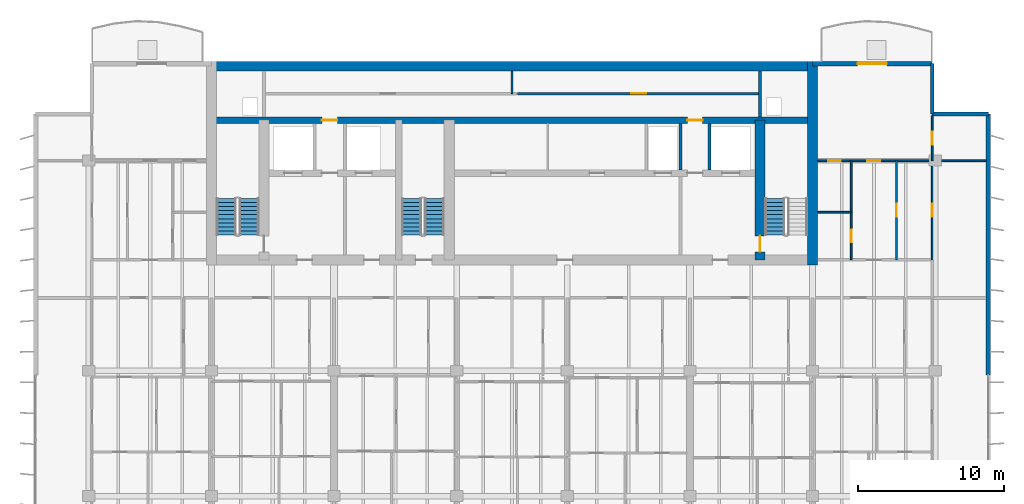
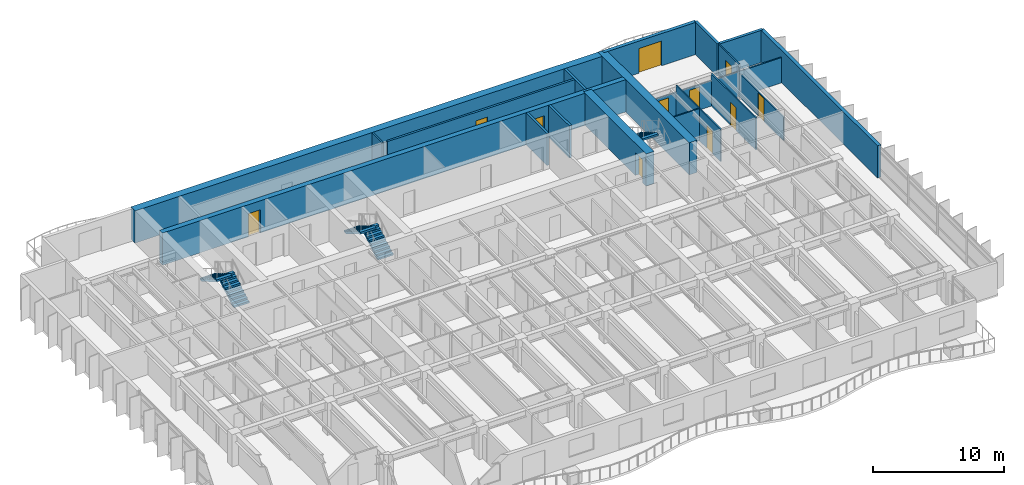
# One storey, part 14 of 19: 19 walls, 11 doors, 5 stair flights, 11 openings, 3 elements without a shape of their own.
"""IFC4 building model written with IfcOpenShell, lengths in metres."""

from ifc_helpers import new_model, si_unit, direction, frame, frame_2d, origin, place, context, subcontext, project, spatial, polyline, rectangle, outline, extrude, material, layer, layer_set, type_object, element, fill, aggregate, save


model = new_model("IFC4")

# Units and contexts
model_context = context("Model", 3, precision=1e-05, world=origin(), true_north=direction((0.0, 1.0)))
body_context = subcontext(model_context, "Body", "Model", "MODEL_VIEW")
ifc_project = project(units=[si_unit("LENGTHUNIT", "METRE"), si_unit("AREAUNIT", "SQUARE_METRE"), si_unit("VOLUMEUNIT", "CUBIC_METRE"), si_unit("PLANEANGLEUNIT", "RADIAN"), si_unit("MASSUNIT", "GRAM", prefix="KILO")], contexts=[model_context])

# Site, building, storey
site_placement = place(None, origin())
site = spatial("IfcSite", under=ifc_project, at=site_placement, CompositionType="ELEMENT")
building_placement = place(site_placement, origin())
building = spatial("IfcBuilding", under=site, at=building_placement, Name="Caelmar Bay Residences", CompositionType="ELEMENT")
storey_placement = place(building_placement, frame((0.0, 0.0, 218.10009765625)))
storey = spatial("IfcBuildingStorey", under=building, at=storey_placement, Name="L61", CompositionType="ELEMENT", Elevation=218.10009765625)

# Wall
ifc_material_1 = material(Name="Concrete f'c 55 MPa (8,000 psi)", Category="concrete")
ifc_layer_1 = layer(ifc_material_1, 0.699951171875)
ifc_layer_set_1 = layer_set([ifc_layer_1], Name="Concrete f'c 55 MPa (8,000 psi)")
wall_type_1 = type_object("IfcWallType", Name="SW-COR-700", PredefinedType="SHEAR", material=ifc_layer_set_1)
wall_1_placement = place(storey_placement, frame((59.5, 36.64990234375, 0.0), z_axis=(0.0, 0.0, 1.0), x_axis=(0.0, 1.0, 0.0)))
element("IfcWall", 1, at=wall_1_placement, inside=storey, type_object=wall_type_1, Name="L61 Rear Core East Shear Wall", PredefinedType="SHEAR", context=body_context, shape_type="SweptSolid", body=[
    extrude(rectangle(XDim=13.9501953125, YDim=0.699951171875, at=frame_2d((6.97509765625, 0.0))), origin(), (0.0, 0.0, 1.0), 3.0),
])

# Wall, opening, door
wall_2_placement = place(storey_placement, frame((55.89990234375, 37.0, 0.0), z_axis=(0.0, 0.0, 1.0), x_axis=(0.0, 1.0, 0.0)))
wall_2 = element("IfcWall", 2, at=wall_2_placement, inside=storey, type_object=wall_type_1, Name="L61 Core Structural Web Wall ST2W", PredefinedType="SHEAR", context=body_context, shape_type="SweptSolid", body=[
    extrude(rectangle(XDim=9.574951171875, YDim=0.699951171875, at=frame_2d((4.78759765625, 0.0))), origin(), (0.0, 0.0, 1.0), 3.0),
])
opening_1_placement = place(wall_2_placement, frame((0.550048828125, 0.0, 0.0)))
opening_1 = element("IfcOpeningElement", 3, at=opening_1_placement, cuts=wall_2, Name="Opening D-L61-110", PredefinedType="OPENING", context=body_context, shape_type="SweptSolid", body=[
    extrude(rectangle(XDim=1.10009765625, YDim=2.14990234375, at=frame_2d((0.550048828125, 1.074951171875))), frame((0.0, 0.35986328125, 0.0), z_axis=(0.0, -1.0, 0.0), x_axis=(1.0, 0.0, 0.0)), (0.0, 0.0, 1.0), 0.719970703125),
])
ifc_material_2 = material(Name="Fire-rated steel and walnut architectural door assembly", Category="steel")
ifc_layer_2 = layer(ifc_material_2, 0.050048828125)
ifc_layer_set_2 = layer_set([ifc_layer_2], Name="Fire-rated steel and walnut architectural door assembly")
door_type_1 = type_object("IfcDoorType", Name="D-STAIR-1100", OperationType="NOTDEFINED", PredefinedType="DOOR", material=ifc_layer_set_2)
door_1_placement = place(opening_1_placement, origin())
door_1 = element("IfcDoor", 4, at=door_1_placement, inside=storey, type_object=door_type_1, Name="L61 Firefighting Lobby East Door", OperationType="SINGLE_SWING_RIGHT", OverallHeight=2.14990234375, OverallWidth=1.10009765625, PredefinedType="DOOR", context=body_context, shape_type="SweptSolid", body=[
    extrude(rectangle(XDim=1.10009765625, YDim=2.14990234375, at=frame_2d((0.550048828125, 1.074951171875))), frame((0.0, 0.02490234375, 0.0), z_axis=(0.0, -1.0, 0.0), x_axis=(1.0, 0.0, 0.0)), (0.0, 0.0, 1.0), 0.050048828125),
])
fill(opening_1, door_1)

# Wall
ifc_layer_3 = layer(ifc_material_1, 0.64990234375)
ifc_layer_set_3 = layer_set([ifc_layer_3], Name="Concrete f'c 55 MPa (8,000 psi)")
wall_type_2 = type_object("IfcWallType", Name="SW-CORN-650", PredefinedType="SHEAR", material=ifc_layer_set_3)
wall_3_placement = place(storey_placement, frame((17.949951171875, 50.27490234375, 0.0), z_axis=(0.0, 0.0, 1.0), x_axis=(1.0, 0.0, 0.0)))
element("IfcWall", 5, at=wall_3_placement, inside=storey, type_object=wall_type_2, Name="L61 Rear Core North Shear Wall", PredefinedType="SHEAR", context=body_context, shape_type="SweptSolid", body=[
    extrude(rectangle(XDim=41.900146484375, YDim=0.64990234375, at=frame_2d((20.9501953125, 0.0))), origin(), (0.0, 0.0, 1.0), 3.0),
])

# Wall, openings, doors
ifc_material_3 = material(Name="Concrete f'c 70 MPa (10,000 psi)", Category="concrete")
ifc_layer_4 = layer(ifc_material_3, 0.449951171875)
ifc_layer_set_4 = layer_set([ifc_layer_4], Name="Concrete f'c 70 MPa (10,000 psi)")
wall_type_3 = type_object("IfcWallType", Name="SW-WEB-450", PredefinedType="SHEAR", material=ifc_layer_set_4)
wall_4_placement = place(storey_placement, frame((18.300048828125, 46.574951171875, 0.0), z_axis=(0.0, 0.0, 1.0), x_axis=(1.0, 0.0, 0.0)))
wall_4 = element("IfcWall", 6, at=wall_4_placement, inside=storey, type_object=wall_type_3, Name="L61 Core Structural Web Wall SRVS", PredefinedType="SHEAR", context=body_context, shape_type="SweptSolid", body=[
    extrude(rectangle(XDim=41.199951171875, YDim=0.449951171875, at=frame_2d((20.60009765625, 0.0))), origin(), (0.0, 0.0, 1.0), 3.0),
])
opening_2_placement = place(wall_4_placement, frame((7.574951171875, 0.0, 0.0)))
opening_2 = element("IfcOpeningElement", 7, at=opening_2_placement, cuts=wall_4, Name="Opening D-L61-116", PredefinedType="OPENING", context=body_context, shape_type="SweptSolid", body=[
    extrude(rectangle(XDim=1.050048828125, YDim=2.14990234375, at=frame_2d((0.52490234375, 1.074951171875))), frame((0.0, 0.23486328125, 0.0), z_axis=(0.0, -1.0, 0.0), x_axis=(1.0, 0.0, 0.0)), (0.0, 0.0, 1.0), 0.469970703125),
])
opening_3_placement = place(wall_4_placement, frame((32.625, 0.0, 0.0)))
opening_3 = element("IfcOpeningElement", 8, at=opening_3_placement, cuts=wall_4, Name="Opening D-L61-117", PredefinedType="OPENING", context=body_context, shape_type="SweptSolid", body=[
    extrude(rectangle(XDim=1.050048828125, YDim=2.14990234375, at=frame_2d((0.52490234375, 1.074951171875))), frame((0.0, 0.23486328125, 0.0), z_axis=(0.0, -1.0, 0.0), x_axis=(1.0, 0.0, 0.0)), (0.0, 0.0, 1.0), 0.469970703125),
])
ifc_layer_5 = layer(ifc_material_2, 0.050048828125)
ifc_layer_set_5 = layer_set([ifc_layer_5], Name="Fire-rated steel and walnut architectural door assembly")
door_type_2 = type_object("IfcDoorType", Name="D-FSAE-1050", OperationType="NOTDEFINED", PredefinedType="DOOR", material=ifc_layer_set_5)
door_2_placement = place(opening_2_placement, origin())
door_2 = element("IfcDoor", 9, at=door_2_placement, inside=storey, type_object=door_type_2, Name="L61 Core Service Corridor Door", OperationType="SINGLE_SWING_RIGHT", OverallHeight=2.14990234375, OverallWidth=1.050048828125, PredefinedType="DOOR", context=body_context, shape_type="SweptSolid", body=[
    extrude(rectangle(XDim=1.050048828125, YDim=2.14990234375, at=frame_2d((0.52490234375, 1.074951171875))), frame((0.0, 0.02490234375, 0.0), z_axis=(0.0, -1.0, 0.0), x_axis=(1.0, 0.0, 0.0)), (0.0, 0.0, 1.0), 0.050048828125),
])
fill(opening_2, door_2)
door_3_placement = place(opening_3_placement, origin())
door_3 = element("IfcDoor", 10, at=door_3_placement, inside=storey, type_object=door_type_2, Name="L61 Core Service Corridor Door", OperationType="SINGLE_SWING_LEFT", OverallHeight=2.14990234375, OverallWidth=1.050048828125, PredefinedType="DOOR", context=body_context, shape_type="SweptSolid", body=[
    extrude(rectangle(XDim=1.050048828125, YDim=2.14990234375, at=frame_2d((0.52490234375, 1.074951171875))), frame((0.0, 0.02490234375, 0.0), z_axis=(0.0, -1.0, 0.0), x_axis=(1.0, 0.0, 0.0)), (0.0, 0.0, 1.0), 0.050048828125),
])
fill(opening_3, door_3)

# Wall, opening, door
ifc_material_4 = material(Name="Double-stud acoustic fire-rated gypsum partition 180 mm")
ifc_layer_6 = layer(ifc_material_4, 0.179931640625)
ifc_layer_set_6 = layer_set([ifc_layer_6], Name="Double-stud acoustic fire-rated gypsum partition 180 mm")
wall_type_4 = type_object("IfcWallType", Name="W-COR-200", PredefinedType="PARTITIONING", material=ifc_layer_set_6)
wall_5_placement = place(storey_placement, frame((39.280029296875, 48.39990234375, 0.0), z_axis=(0.0, 0.0, 1.0), x_axis=(1.0, 0.0, 0.0)))
wall_5 = element("IfcWall", 11, at=wall_5_placement, inside=storey, type_object=wall_type_4, Name="L61 Partition Wall H137", PredefinedType="PARTITIONING", context=body_context, shape_type="SweptSolid", body=[
    extrude(rectangle(XDim=16.619873046875, YDim=0.179931640625, at=frame_2d((8.31005859375, 0.0))), origin(), (0.0, 0.0, 1.0), 3.0),
])
opening_4_placement = place(wall_5_placement, frame((7.81005859375, 0.0, 0.0)))
opening_4 = element("IfcOpeningElement", 12, at=opening_4_placement, cuts=wall_5, Name="Opening D-L61-119", PredefinedType="OPENING", context=body_context, shape_type="SweptSolid", body=[
    extrude(rectangle(XDim=1.0, YDim=2.199951171875, at=frame_2d((0.5, 1.10009765625))), frame((0.0, 0.099853515625, 0.0), z_axis=(0.0, -1.0, 0.0), x_axis=(1.0, 0.0, 0.0)), (0.0, 0.0, 1.0), 0.199951171875),
])
ifc_layer_7 = layer(ifc_material_2, 0.050048828125)
ifc_layer_set_7 = layer_set([ifc_layer_7], Name="Fire-rated steel and walnut architectural door assembly")
door_type_3 = type_object("IfcDoorType", Name="D-UNIT-1000", OperationType="NOTDEFINED", PredefinedType="DOOR", material=ifc_layer_set_7)
door_4_placement = place(opening_4_placement, origin())
door_4 = element("IfcDoor", 13, at=door_4_placement, inside=storey, type_object=door_type_3, Name="L61 Concierge Operations Office Door", OperationType="SINGLE_SWING_LEFT", OverallHeight=2.199951171875, OverallWidth=1.0, PredefinedType="DOOR", context=body_context, shape_type="SweptSolid", body=[
    extrude(rectangle(XDim=1.0, YDim=2.199951171875, at=frame_2d((0.5, 1.10009765625))), frame((0.0, 0.02490234375, 0.0), z_axis=(0.0, -1.0, 0.0), x_axis=(1.0, 0.0, 0.0)), (0.0, 0.0, 1.0), 0.050048828125),
])
fill(opening_4, door_4)

# Walls
ifc_material_5 = material(Name="Precast concrete f'c 40 MPa (6,000 psi)", Category="concrete")
ifc_layer_8 = layer(ifc_material_5, 0.25)
ifc_layer_set_8 = layer_set([ifc_layer_8], Name="Precast concrete f'c 40 MPa (6,000 psi)")
wall_type_5 = type_object("IfcWallType", Name="W-EXT-250", PredefinedType="ELEMENTEDWALL", material=ifc_layer_set_8)
wall_6_placement = place(storey_placement, frame((67.699951171875, 50.449951171875, 0.0), z_axis=(0.0, 0.0, 1.0), x_axis=(0.0, -1.0, 0.0)))
element("IfcWall", 14, at=wall_6_placement, inside=storey, type_object=wall_type_5, Name="L61 NNE-V Notch Wall", PredefinedType="ELEMENTEDWALL", context=body_context, shape_type="SweptSolid", body=[
    extrude(rectangle(XDim=3.449951171875, YDim=0.25, at=frame_2d((1.72509765625, 0.0))), origin(), (0.0, 0.0, 1.0), 3.0),
])
wall_7_placement = place(storey_placement, frame((67.699951171875, 47.0, 0.0), z_axis=(0.0, 0.0, 1.0), x_axis=(1.0, 0.0, 0.0)))
element("IfcWall", 15, at=wall_7_placement, inside=storey, type_object=wall_type_5, Name="L61 NNE-H Notch Wall", PredefinedType="ELEMENTEDWALL", context=body_context, shape_type="SweptSolid", body=[
    extrude(rectangle(XDim=3.85009765625, YDim=0.25, at=frame_2d((1.925048828125, 0.0))), origin(), (0.0, 0.0, 1.0), 3.0),
])
ifc_layer_9 = layer(ifc_material_5, 0.300048828125)
ifc_layer_set_9 = layer_set([ifc_layer_9], Name="Precast concrete f'c 40 MPa (6,000 psi)")
wall_type_6 = type_object("IfcWallType", Name="W-EXT-300", PredefinedType="STANDARD", material=ifc_layer_set_9)
wall_8_placement = place(storey_placement, frame((71.550048828125, 47.0, 0.0), z_axis=(0.0, 0.0, 1.0), x_axis=(0.0, -1.0, 0.0)))
element("IfcWall", 16, at=wall_8_placement, inside=storey, type_object=wall_type_6, Name="L61 East Rear Exterior Wall", PredefinedType="STANDARD", context=body_context, shape_type="SweptSolid", body=[
    extrude(rectangle(XDim=17.89990234375, YDim=0.300048828125, at=frame_2d((8.949951171875, 0.0))), origin(), (0.0, 0.0, 1.0), 3.0),
])

# Wall, opening, door
wall_9_placement = place(storey_placement, frame((59.5, 50.449951171875, 0.0), z_axis=(0.0, 0.0, 1.0), x_axis=(1.0, 0.0, 0.0)))
wall_9 = element("IfcWall", 17, at=wall_9_placement, inside=storey, type_object=wall_type_6, Name="L61 North-East Wing Exterior Wall", PredefinedType="STANDARD", context=body_context, shape_type="SweptSolid", body=[
    extrude(rectangle(XDim=8.199951171875, YDim=0.300048828125, at=frame_2d((4.10009765625, 0.0))), origin(), (0.0, 0.0, 1.0), 3.0),
])
opening_5_placement = place(wall_9_placement, frame((3.10009765625, 0.0, 0.0)))
opening_5 = element("IfcOpeningElement", 18, at=opening_5_placement, cuts=wall_9, Name="Opening L61-BDNE", PredefinedType="OPENING", context=body_context, shape_type="SweptSolid", body=[
    extrude(rectangle(XDim=2.0, YDim=2.300048828125, at=frame_2d((1.0, 1.14990234375))), frame((0.0, 0.159912109375, 0.0), z_axis=(0.0, -1.0, 0.0), x_axis=(1.0, 0.0, 0.0)), (0.0, 0.0, 1.0), 0.320068359375),
])
ifc_material_6 = material(Name="Anodised bronze thermally broken sliding glass door", Category="glass")
ifc_layer_10 = layer(ifc_material_6, 0.050048828125)
ifc_layer_set_10 = layer_set([ifc_layer_10], Name="Anodised bronze thermally broken sliding glass door")
door_type_4 = type_object("IfcDoorType", Name="D-BAL-2000", OperationType="DOUBLE_DOOR_SLIDING", PredefinedType="DOOR", material=ifc_layer_set_10)
door_5_placement = place(opening_5_placement, origin())
door_5 = element("IfcDoor", 19, at=door_5_placement, inside=storey, type_object=door_type_4, Name="L61 North-East Balcony Door", OperationType="DOUBLE_DOOR_SLIDING", OverallHeight=2.300048828125, OverallWidth=2.0, PredefinedType="DOOR", context=body_context, shape_type="SweptSolid", body=[
    extrude(rectangle(XDim=2.0, YDim=2.300048828125, at=frame_2d((1.0, 1.14990234375))), frame((0.0, 0.02490234375, 0.0), z_axis=(0.0, -1.0, 0.0), x_axis=(1.0, 0.0, 0.0)), (0.0, 0.0, 1.0), 0.050048828125),
])
fill(opening_5, door_5)

# Walls
ifc_material_7 = material(Name="Fire-rated masonry and gypsum shaftliner assembly 200 mm", Category="masonry")
ifc_layer_11 = layer(ifc_material_7, 0.199951171875)
ifc_layer_set_11 = layer_set([ifc_layer_11], Name="Fire-rated masonry and gypsum shaftliner assembly 200 mm")
wall_type_7 = type_object("IfcWallType", Name="W-FSAE-200", PredefinedType="PARTITIONING", material=ifc_layer_set_11)
for number, where, z_axis, x_axis, name in (
    (20, (50.449951171875, 43.169921875, 0.0), (0.0, 0.0, 1.0), (0.0, 1.0, 0.0), "L61 Partition Wall V070"),
    (21, (52.449951171875, 43.169921875, 0.0), (0.0, 0.0, 1.0), (0.0, 1.0, 0.0), "L61 Partition Wall V074"),
):
    element("IfcWall", number, at=place(storey_placement, frame(where, z_axis=z_axis, x_axis=x_axis)), inside=storey, type_object=wall_type_7, Name=name, PredefinedType="PARTITIONING", context=body_context, shape_type="SweptSolid", body=[
        extrude(rectangle(XDim=3.18505859375, YDim=0.199951171875, at=frame_2d((1.592529296875, 0.0))), origin(), (0.0, 0.0, 1.0), 3.0),
    ])
wall_10_placement = place(storey_placement, frame((55.89990234375, 46.794921875, 0.0), z_axis=(0.0, 0.0, 1.0), x_axis=(0.0, 1.0, 0.0)))
element("IfcWall", 22, at=wall_10_placement, inside=storey, type_object=wall_type_7, Name="L61 Partition Wall V079", PredefinedType="PARTITIONING", context=body_context, shape_type="SweptSolid", body=[
    extrude(rectangle(XDim=3.16015625, YDim=0.199951171875, at=frame_2d((1.580078125, 0.0))), origin(), (0.0, 0.0, 1.0), 3.0),
])

# Wall, opening, door
ifc_material_8 = material(Name="Anodised bronze framed acoustic sliding study partition 100 mm")
ifc_layer_12 = layer(ifc_material_8, 0.10009765625)
ifc_layer_set_12 = layer_set([ifc_layer_12], Name="Anodised bronze framed acoustic sliding study partition 100 mm")
wall_type_8 = type_object("IfcWallType", Name="W-MOV-100", PredefinedType="MOVABLE", material=ifc_layer_set_12)
wall_11_placement = place(storey_placement, frame((67.699951171875, 37.0048828125, 0.0), z_axis=(0.0, 0.0, 1.0), x_axis=(0.0, 1.0, 0.0)))
wall_11 = element("IfcWall", 23, at=wall_11_placement, inside=storey, type_object=wall_type_8, Name="L61 Partition Wall V102", PredefinedType="MOVABLE", context=body_context, shape_type="SweptSolid", body=[
    extrude(rectangle(XDim=6.795166015625, YDim=0.10009765625, at=frame_2d((3.3974609375, 0.0))), origin(), (0.0, 0.0, 1.0), 2.212890625),
])
opening_6_placement = place(wall_11_placement, frame((2.947509765625, 0.0, 0.0)))
opening_6 = element("IfcOpeningElement", 24, at=opening_6_placement, cuts=wall_11, Name="Opening D-L61-182", PredefinedType="OPENING", context=body_context, shape_type="SweptSolid", body=[
    extrude(rectangle(XDim=0.89990234375, YDim=2.14990234375, at=frame_2d((0.449951171875, 1.074951171875))), frame((0.0, 0.06005859375, 0.0), z_axis=(0.0, -1.0, 0.0), x_axis=(1.0, 0.0, 0.0)), (0.0, 0.0, 1.0), 0.1201171875),
])
ifc_material_9 = material(Name="Solid walnut timber interior door leaf and frame", Category="wood")
ifc_layer_13 = layer(ifc_material_9, 0.050048828125)
ifc_layer_set_13 = layer_set([ifc_layer_13], Name="Solid walnut timber interior door leaf and frame")
door_type_5 = type_object("IfcDoorType", Name="D-ROOM-900", OperationType="NOTDEFINED", PredefinedType="DOOR", material=ifc_layer_set_13)
door_6_placement = place(opening_6_placement, origin())
door_6 = element("IfcDoor", 25, at=door_6_placement, inside=storey, type_object=door_type_5, Name="L61 Residence EA Sun Study Door", OperationType="SINGLE_SWING_RIGHT", OverallHeight=2.14990234375, OverallWidth=0.89990234375, PredefinedType="DOOR", context=body_context, shape_type="SweptSolid", body=[
    extrude(rectangle(XDim=0.89990234375, YDim=2.14990234375, at=frame_2d((0.449951171875, 1.074951171875))), frame((0.0, 0.02490234375, 0.0), z_axis=(0.0, -1.0, 0.0), x_axis=(1.0, 0.0, 0.0)), (0.0, 0.0, 1.0), 0.050048828125),
])
fill(opening_6, door_6)

# Wall
ifc_material_10 = material(Name="Acoustic metal-stud gypsum partition 120 mm")
ifc_layer_14 = layer(ifc_material_10, 0.1201171875)
ifc_layer_set_14 = layer_set([ifc_layer_14], Name="Acoustic metal-stud gypsum partition 120 mm")
wall_type_9 = type_object("IfcWallType", Name="W-PRT-120", PredefinedType="PARTITIONING", material=ifc_layer_set_14)
wall_12_placement = place(storey_placement, frame((38.89990234375, 48.39990234375, 0.0), z_axis=(0.0, 0.0, 1.0), x_axis=(0.0, 1.0, 0.0)))
element("IfcWall", 26, at=wall_12_placement, inside=storey, type_object=wall_type_9, Name="L61 Partition Wall V048", PredefinedType="PARTITIONING", context=body_context, shape_type="SweptSolid", body=[
    extrude(rectangle(XDim=1.55517578125, YDim=0.1201171875, at=frame_2d((0.777587890625, 0.0))), origin(), (0.0, 0.0, 1.0), 3.0),
])

# Wall, opening, door
wall_13_placement = place(storey_placement, frame((62.14990234375, 37.0, 0.0), z_axis=(0.0, 0.0, 1.0), x_axis=(0.0, 1.0, 0.0)))
wall_13 = element("IfcWall", 27, at=wall_13_placement, inside=storey, type_object=wall_type_9, Name="L61 Partition Wall V088", PredefinedType="PARTITIONING", context=body_context, shape_type="SweptSolid", body=[
    extrude(rectangle(XDim=6.800048828125, YDim=0.1201171875, at=frame_2d((3.39990234375, 0.0))), origin(), (0.0, 0.0, 1.0), 3.0),
])
opening_7_placement = place(wall_13_placement, frame((1.20703125, 0.0, 0.0)))
opening_7 = element("IfcOpeningElement", 28, at=opening_7_placement, cuts=wall_13, Name="Opening D-L61-180", PredefinedType="OPENING", context=body_context, shape_type="SweptSolid", body=[
    extrude(rectangle(XDim=0.85009765625, YDim=2.10009765625, at=frame_2d((0.425048828125, 1.050048828125))), frame((0.0, 0.070068359375, 0.0), z_axis=(0.0, -1.0, 0.0), x_axis=(1.0, 0.0, 0.0)), (0.0, 0.0, 1.0), 0.14013671875),
])
ifc_layer_15 = layer(ifc_material_9, 0.050048828125)
ifc_layer_set_15 = layer_set([ifc_layer_15], Name="Solid walnut timber interior door leaf and frame")
door_type_6 = type_object("IfcDoorType", Name="D-BATH-850", OperationType="NOTDEFINED", PredefinedType="DOOR", material=ifc_layer_set_15)
door_7_placement = place(opening_7_placement, origin())
door_7 = element("IfcDoor", 29, at=door_7_placement, inside=storey, type_object=door_type_6, Name="L61 Residence EA Walk-In Closet Door", OperationType="SINGLE_SWING_RIGHT", OverallHeight=2.10009765625, OverallWidth=0.85009765625, PredefinedType="DOOR", context=body_context, shape_type="SweptSolid", body=[
    extrude(rectangle(XDim=0.85009765625, YDim=2.10009765625, at=frame_2d((0.425048828125, 1.050048828125))), frame((0.0, 0.02490234375, 0.0), z_axis=(0.0, -1.0, 0.0), x_axis=(1.0, 0.0, 0.0)), (0.0, 0.0, 1.0), 0.050048828125),
])
fill(opening_7, door_7)

wall_14_placement = place(storey_placement, frame((65.258056640625, 37.0, 0.0), z_axis=(0.0, 0.0, 1.0), x_axis=(0.0, 1.0, 0.0)))
wall_14 = element("IfcWall", 30, at=wall_14_placement, inside=storey, type_object=wall_type_9, Name="L61 Partition Wall V094", PredefinedType="PARTITIONING", context=body_context, shape_type="SweptSolid", body=[
    extrude(rectangle(XDim=6.800048828125, YDim=0.1201171875, at=frame_2d((3.39990234375, 0.0))), origin(), (0.0, 0.0, 1.0), 3.0),
])
opening_8_placement = place(wall_14_placement, frame((2.949951171875, 0.0, 0.0)))
opening_8 = element("IfcOpeningElement", 31, at=opening_8_placement, cuts=wall_14, Name="Opening D-L61-177", PredefinedType="OPENING", context=body_context, shape_type="SweptSolid", body=[
    extrude(rectangle(XDim=0.89990234375, YDim=2.14990234375, at=frame_2d((0.449951171875, 1.074951171875))), frame((0.0, 0.070068359375, 0.0), z_axis=(0.0, -1.0, 0.0), x_axis=(1.0, 0.0, 0.0)), (0.0, 0.0, 1.0), 0.14013671875),
])
door_8_placement = place(opening_8_placement, origin())
door_8 = element("IfcDoor", 32, at=door_8_placement, inside=storey, type_object=door_type_5, Name="L61 Residence EA Dining Room Door", OperationType="SINGLE_SWING_LEFT", OverallHeight=2.14990234375, OverallWidth=0.89990234375, PredefinedType="DOOR", context=body_context, shape_type="SweptSolid", body=[
    extrude(rectangle(XDim=0.89990234375, YDim=2.14990234375, at=frame_2d((0.449951171875, 1.074951171875))), frame((0.0, 0.02490234375, 0.0), z_axis=(0.0, -1.0, 0.0), x_axis=(1.0, 0.0, 0.0)), (0.0, 0.0, 1.0), 0.050048828125),
])
fill(opening_8, door_8)

wall_15_placement = place(storey_placement, frame((67.699951171875, 43.804931640625, 0.0), z_axis=(0.0, 0.0, 1.0), x_axis=(0.0, 1.0, 0.0)))
wall_15 = element("IfcWall", 33, at=wall_15_placement, inside=storey, type_object=wall_type_9, Name="L61 Partition Wall V103", PredefinedType="PARTITIONING", context=body_context, shape_type="SweptSolid", body=[
    extrude(rectangle(XDim=3.074951171875, YDim=0.1201171875, at=frame_2d((1.53759765625, 0.0))), origin(), (0.0, 0.0, 1.0), 3.0),
])
opening_9_placement = place(wall_15_placement, frame((1.08740234375, 0.0, 0.0)))
opening_9 = element("IfcOpeningElement", 34, at=opening_9_placement, cuts=wall_15, Name="Opening D-L61-183", PredefinedType="OPENING", context=body_context, shape_type="SweptSolid", body=[
    extrude(rectangle(XDim=0.89990234375, YDim=2.14990234375, at=frame_2d((0.449951171875, 1.074951171875))), frame((0.0, 0.070068359375, 0.0), z_axis=(0.0, -1.0, 0.0), x_axis=(1.0, 0.0, 0.0)), (0.0, 0.0, 1.0), 0.14013671875),
])
door_9_placement = place(opening_9_placement, origin())
door_9 = element("IfcDoor", 35, at=door_9_placement, inside=storey, type_object=door_type_5, Name="L61 Residence EA North Sitting Alcove Door", OperationType="SINGLE_SWING_LEFT", OverallHeight=2.14990234375, OverallWidth=0.89990234375, PredefinedType="DOOR", context=body_context, shape_type="SweptSolid", body=[
    extrude(rectangle(XDim=0.89990234375, YDim=2.14990234375, at=frame_2d((0.449951171875, 1.074951171875))), frame((0.0, 0.02490234375, 0.0), z_axis=(0.0, -1.0, 0.0), x_axis=(1.0, 0.0, 0.0)), (0.0, 0.0, 1.0), 0.050048828125),
])
fill(opening_9, door_9)

# Wall
wall_16_placement = place(storey_placement, frame((59.844970703125, 40.263916015625, 0.0), z_axis=(0.0, 0.0, 1.0), x_axis=(1.0, 0.0, 0.0)))
element("IfcWall", 36, at=wall_16_placement, inside=storey, type_object=wall_type_9, Name="L61 Partition Wall H133", PredefinedType="PARTITIONING", context=body_context, shape_type="SweptSolid", body=[
    extrude(rectangle(XDim=2.304931640625, YDim=0.1201171875, at=frame_2d((1.15234375, 0.0))), origin(), (0.0, 0.0, 1.0), 3.0),
])

# Wall, openings, doors
wall_17_placement = place(storey_placement, frame((59.844970703125, 43.800048828125, 0.0), z_axis=(0.0, 0.0, 1.0), x_axis=(1.0, 0.0, 0.0)))
wall_17 = element("IfcWall", 37, at=wall_17_placement, inside=storey, type_object=wall_type_9, Name="L61 Partition Wall H135", PredefinedType="PARTITIONING", context=body_context, shape_type="SweptSolid", body=[
    extrude(rectangle(XDim=11.56005859375, YDim=0.1201171875, at=frame_2d((5.780029296875, 0.0))), origin(), (0.0, 0.0, 1.0), 2.367919921875),
])
opening_10_placement = place(wall_17_placement, frame((3.408935546875, 0.0, 0.0)))
opening_10 = element("IfcOpeningElement", 38, at=opening_10_placement, cuts=wall_17, Name="Opening D-L61-179", PredefinedType="OPENING", context=body_context, shape_type="SweptSolid", body=[
    extrude(rectangle(XDim=0.89990234375, YDim=2.14990234375, at=frame_2d((0.449951171875, 1.074951171875))), frame((0.0, 0.070068359375, 0.0), z_axis=(0.0, -1.0, 0.0), x_axis=(1.0, 0.0, 0.0)), (0.0, 0.0, 1.0), 0.14013671875),
])
opening_11_placement = place(wall_17_placement, frame((0.7275390625, 0.0, 0.0)))
opening_11 = element("IfcOpeningElement", 39, at=opening_11_placement, cuts=wall_17, Name="Opening D-L61-181", PredefinedType="OPENING", context=body_context, shape_type="SweptSolid", body=[
    extrude(rectangle(XDim=0.85009765625, YDim=2.10009765625, at=frame_2d((0.425048828125, 1.050048828125))), frame((0.0, 0.070068359375, 0.0), z_axis=(0.0, -1.0, 0.0), x_axis=(1.0, 0.0, 0.0)), (0.0, 0.0, 1.0), 0.14013671875),
])
door_10_placement = place(opening_11_placement, origin())
door_10 = element("IfcDoor", 40, at=door_10_placement, inside=storey, type_object=door_type_6, Name="L61 Residence EA Bathroom Door", OperationType="SINGLE_SWING_LEFT", OverallHeight=2.10009765625, OverallWidth=0.85009765625, PredefinedType="DOOR", context=body_context, shape_type="SweptSolid", body=[
    extrude(rectangle(XDim=0.85009765625, YDim=2.10009765625, at=frame_2d((0.425048828125, 1.050048828125))), frame((0.0, 0.02490234375, 0.0), z_axis=(0.0, -1.0, 0.0), x_axis=(1.0, 0.0, 0.0)), (0.0, 0.0, 1.0), 0.050048828125),
])
fill(opening_11, door_10)
door_11_placement = place(opening_10_placement, origin())
door_11 = element("IfcDoor", 41, at=door_11_placement, inside=storey, type_object=door_type_5, Name="L61 Residence EA Studio Living and Sleeping Room Door", OperationType="SINGLE_SWING_LEFT", OverallHeight=2.14990234375, OverallWidth=0.89990234375, PredefinedType="DOOR", context=body_context, shape_type="SweptSolid", body=[
    extrude(rectangle(XDim=0.89990234375, YDim=2.14990234375, at=frame_2d((0.449951171875, 1.074951171875))), frame((0.0, 0.02490234375, 0.0), z_axis=(0.0, -1.0, 0.0), x_axis=(1.0, 0.0, 0.0)), (0.0, 0.0, 1.0), 0.050048828125),
])
fill(opening_10, door_11)

# Stair, stair flights
ifc_material_11 = material(Name="Concrete f'c 40 MPa (6,000 psi)", Category="concrete")
stair_type = type_object("IfcStairType", Name="ST-TYP-165", PredefinedType="HALF_TURN_STAIR", material=ifc_material_11)
stair_1_placement = place(storey_placement, origin())
stair_1 = element("IfcStair", 42, at=stair_1_placement, inside=storey, type_object=stair_type, Name="L61 West Smokeproof Exit Stair ST1", PredefinedType="HALF_TURN_STAIR")
stair_flight_type = type_object("IfcStairFlightType", Name="STF-1350", PredefinedType="STRAIGHT", material=ifc_material_11)
stair_flight_1_placement = place(storey_placement, frame((20.875, 38.699951171875, 0.0), z_axis=(0.0, 0.0, 1.0), x_axis=(0.0, 1.0, 0.0)))
stair_flight_1 = element("IfcStairFlight", 43, at=stair_flight_1_placement, type_object=stair_flight_type, Name="ST1 flight 1", NumberOfRisers=10, NumberOfTreads=9, PredefinedType="STRAIGHT", RiserHeight=0.165, TreadLength=0.28, context=body_context, shape_type="SweptSolid", body=[
    extrude(outline(polyline([(0.0, 0.0), (0.0, 0.1650390625), (0.280029296875, 0.1650390625), (0.280029296875, 0.330078125), (0.56005859375, 0.330078125), (0.56005859375, 0.4951171875), (0.840087890625, 0.4951171875), (0.840087890625, 0.659912109375), (1.1201171875, 0.659912109375), (1.1201171875, 0.824951171875), (1.39990234375, 0.824951171875), (1.39990234375, 0.989990234375), (1.679931640625, 0.989990234375), (1.679931640625, 1.155029296875), (1.9599609375, 1.155029296875), (1.9599609375, 1.320068359375), (2.239990234375, 1.320068359375), (2.239990234375, 1.485107421875), (2.52001953125, 1.485107421875), (2.52001953125, 1.64990234375), (2.52001953125, 1.31103515625), (0.295166015625, 0.0), (0.0, 0.0)])), frame((0.0, 0.675048828125, 0.0), z_axis=(0.0, -1.0, 0.0), x_axis=(1.0, 0.0, 0.0)), (0.0, 0.0, 1.0), 1.35009765625),
])
stair_flight_2_placement = place(storey_placement, frame((19.324951171875, 41.219970703125, 1.64990234375), z_axis=(0.0, 0.0, 1.0), x_axis=(0.0, -1.0, 0.0)))
stair_flight_2 = element("IfcStairFlight", 44, at=stair_flight_2_placement, type_object=stair_flight_type, Name="ST1 flight 2", NumberOfRisers=10, NumberOfTreads=9, PredefinedType="STRAIGHT", RiserHeight=0.165, TreadLength=0.28, context=body_context, shape_type="SweptSolid", body=[
    extrude(outline(polyline([(0.0, 0.0), (0.0, 0.1650390625), (0.280029296875, 0.1650390625), (0.280029296875, 0.330078125), (0.56005859375, 0.330078125), (0.56005859375, 0.4951171875), (0.840087890625, 0.4951171875), (0.840087890625, 0.659912109375), (1.1201171875, 0.659912109375), (1.1201171875, 0.824951171875), (1.39990234375, 0.824951171875), (1.39990234375, 0.989990234375), (1.679931640625, 0.989990234375), (1.679931640625, 1.155029296875), (1.9599609375, 1.155029296875), (1.9599609375, 1.320068359375), (2.239990234375, 1.320068359375), (2.239990234375, 1.485107421875), (2.52001953125, 1.485107421875), (2.52001953125, 1.64990234375), (2.52001953125, 1.31103515625), (0.295166015625, 0.0), (0.0, 0.0)])), frame((0.0, 0.675048828125, 0.0), z_axis=(0.0, -1.0, 0.0), x_axis=(1.0, 0.0, 0.0)), (0.0, 0.0, 1.0), 1.35009765625),
])
aggregate(stair_1, [stair_flight_1, stair_flight_2])

# Stair, stair flight
stair_2_placement = place(storey_placement, origin())
stair_2 = element("IfcStair", 45, at=stair_2_placement, inside=storey, type_object=stair_type, Name="L61 East Smokeproof Exit Stair ST2", PredefinedType="HALF_TURN_STAIR")
stair_flight_3_placement = place(storey_placement, frame((56.925048828125, 41.219970703125, 1.64990234375), z_axis=(0.0, 0.0, 1.0), x_axis=(0.0, -1.0, 0.0)))
stair_flight_3 = element("IfcStairFlight", 46, at=stair_flight_3_placement, type_object=stair_flight_type, Name="ST2 flight 2", NumberOfRisers=10, NumberOfTreads=9, PredefinedType="STRAIGHT", RiserHeight=0.165, TreadLength=0.28, context=body_context, shape_type="SweptSolid", body=[
    extrude(outline(polyline([(0.0, 0.0), (0.0, 0.1650390625), (0.280029296875, 0.1650390625), (0.280029296875, 0.330078125), (0.56005859375, 0.330078125), (0.56005859375, 0.4951171875), (0.840087890625, 0.4951171875), (0.840087890625, 0.659912109375), (1.1201171875, 0.659912109375), (1.1201171875, 0.824951171875), (1.39990234375, 0.824951171875), (1.39990234375, 0.989990234375), (1.679931640625, 0.989990234375), (1.679931640625, 1.155029296875), (1.9599609375, 1.155029296875), (1.9599609375, 1.320068359375), (2.239990234375, 1.320068359375), (2.239990234375, 1.485107421875), (2.52001953125, 1.485107421875), (2.52001953125, 1.64990234375), (2.52001953125, 1.31103515625), (0.295166015625, 0.0), (0.0, 0.0)])), frame((0.0, 0.675048828125, 0.0), z_axis=(0.0, -1.0, 0.0), x_axis=(1.0, 0.0, 0.0)), (0.0, 0.0, 1.0), 1.35009765625),
])
aggregate(stair_2, [stair_flight_3])

# Stair, stair flights
stair_3_placement = place(storey_placement, origin())
stair_3 = element("IfcStair", 47, at=stair_3_placement, inside=storey, type_object=stair_type, Name="L61 Central Smokeproof Exit Stair ST3", PredefinedType="HALF_TURN_STAIR")
stair_flight_4_placement = place(storey_placement, frame((33.574951171875, 38.699951171875, 0.0), z_axis=(0.0, 0.0, 1.0), x_axis=(0.0, 1.0, 0.0)))
stair_flight_4 = element("IfcStairFlight", 48, at=stair_flight_4_placement, type_object=stair_flight_type, Name="ST3 flight 1", NumberOfRisers=10, NumberOfTreads=9, PredefinedType="STRAIGHT", RiserHeight=0.165, TreadLength=0.28, context=body_context, shape_type="SweptSolid", body=[
    extrude(outline(polyline([(0.0, 0.0), (0.0, 0.1650390625), (0.280029296875, 0.1650390625), (0.280029296875, 0.330078125), (0.56005859375, 0.330078125), (0.56005859375, 0.4951171875), (0.840087890625, 0.4951171875), (0.840087890625, 0.659912109375), (1.1201171875, 0.659912109375), (1.1201171875, 0.824951171875), (1.39990234375, 0.824951171875), (1.39990234375, 0.989990234375), (1.679931640625, 0.989990234375), (1.679931640625, 1.155029296875), (1.9599609375, 1.155029296875), (1.9599609375, 1.320068359375), (2.239990234375, 1.320068359375), (2.239990234375, 1.485107421875), (2.52001953125, 1.485107421875), (2.52001953125, 1.64990234375), (2.52001953125, 1.31103515625), (0.295166015625, 0.0), (0.0, 0.0)])), frame((0.0, 0.675048828125, 0.0), z_axis=(0.0, -1.0, 0.0), x_axis=(1.0, 0.0, 0.0)), (0.0, 0.0, 1.0), 1.35009765625),
])
stair_flight_5_placement = place(storey_placement, frame((32.02490234375, 41.219970703125, 1.64990234375), z_axis=(0.0, 0.0, 1.0), x_axis=(0.0, -1.0, 0.0)))
stair_flight_5 = element("IfcStairFlight", 49, at=stair_flight_5_placement, type_object=stair_flight_type, Name="ST3 flight 2", NumberOfRisers=10, NumberOfTreads=9, PredefinedType="STRAIGHT", RiserHeight=0.165, TreadLength=0.28, context=body_context, shape_type="SweptSolid", body=[
    extrude(outline(polyline([(0.0, 0.0), (0.0, 0.1650390625), (0.280029296875, 0.1650390625), (0.280029296875, 0.330078125), (0.56005859375, 0.330078125), (0.56005859375, 0.4951171875), (0.840087890625, 0.4951171875), (0.840087890625, 0.659912109375), (1.1201171875, 0.659912109375), (1.1201171875, 0.824951171875), (1.39990234375, 0.824951171875), (1.39990234375, 0.989990234375), (1.679931640625, 0.989990234375), (1.679931640625, 1.155029296875), (1.9599609375, 1.155029296875), (1.9599609375, 1.320068359375), (2.239990234375, 1.320068359375), (2.239990234375, 1.485107421875), (2.52001953125, 1.485107421875), (2.52001953125, 1.64990234375), (2.52001953125, 1.31103515625), (0.295166015625, 0.0), (0.0, 0.0)])), frame((0.0, 0.675048828125, 0.0), z_axis=(0.0, -1.0, 0.0), x_axis=(1.0, 0.0, 0.0)), (0.0, 0.0, 1.0), 1.35009765625),
])
aggregate(stair_3, [stair_flight_4, stair_flight_5])

save(model, "model.ifc")
